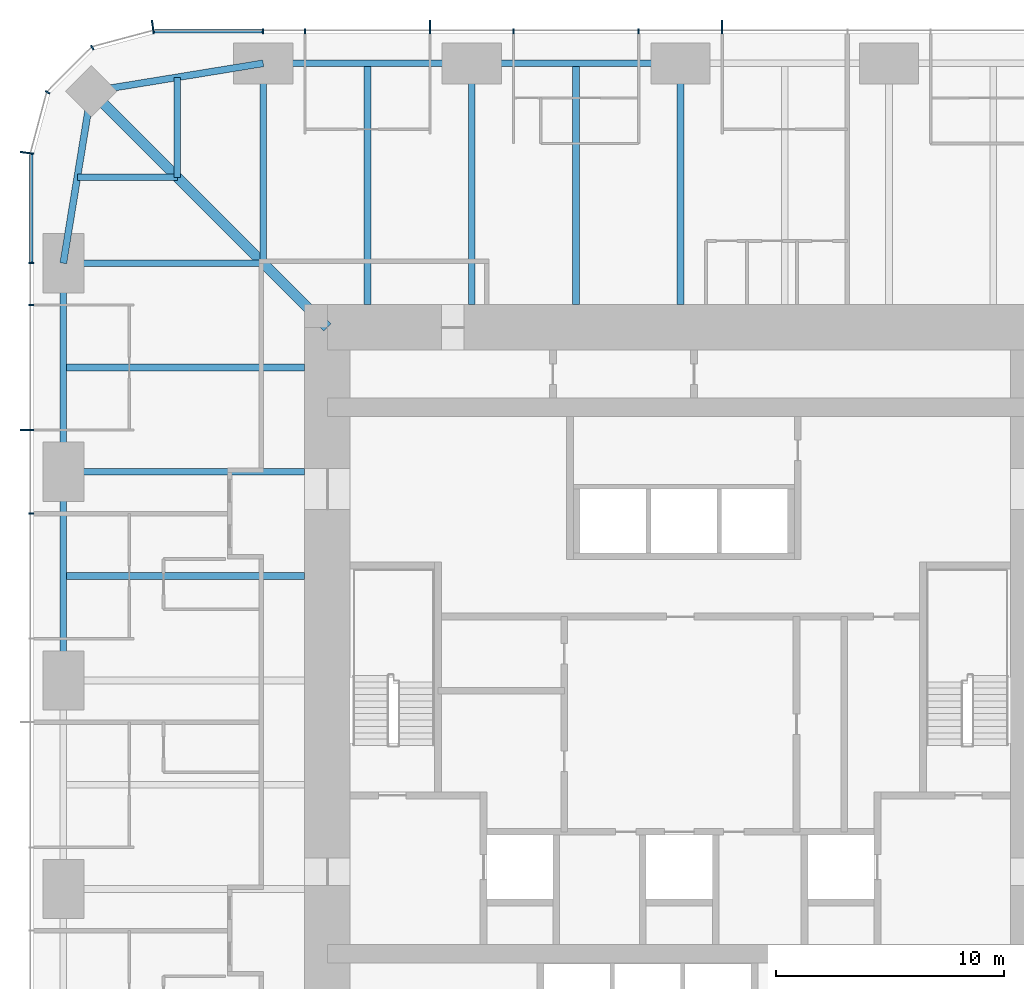
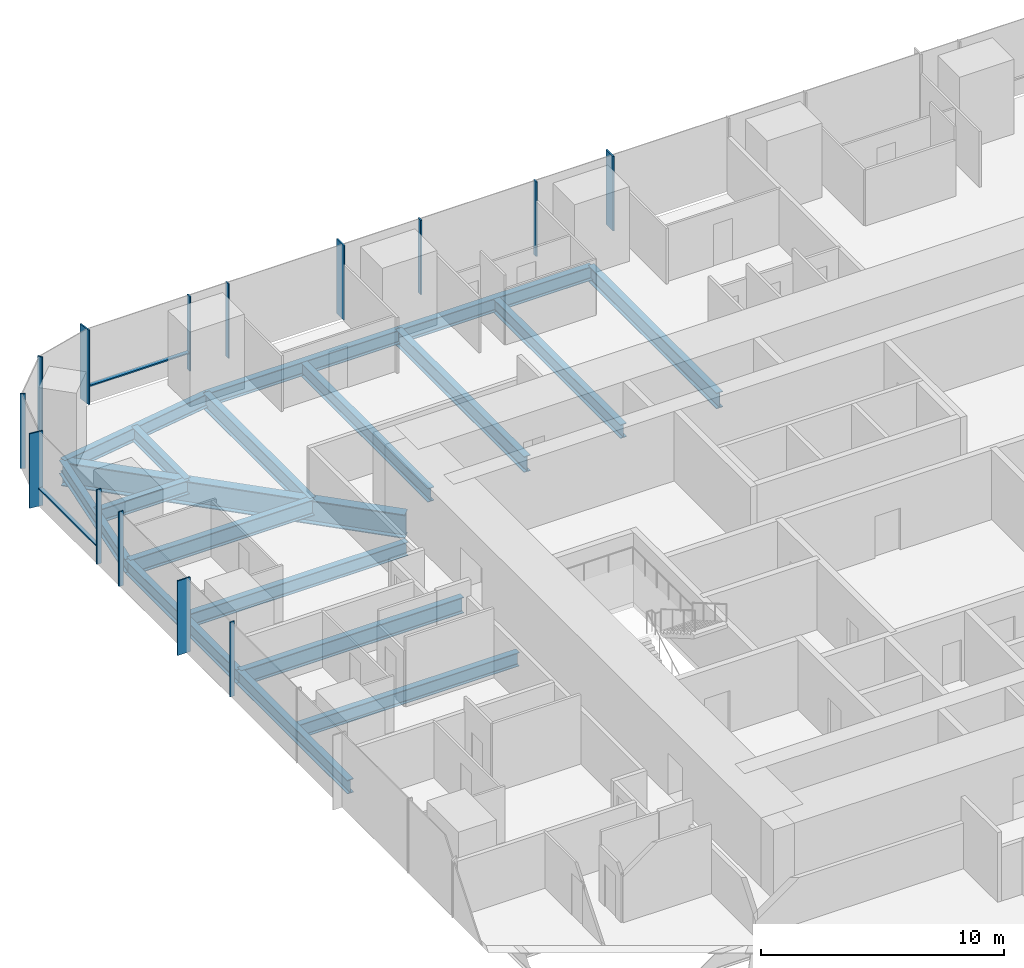
# One storey, part 5 of 13: 18 beams, 16 members, 3 elements without a shape of their own.
"""IFC4 building model written with IfcOpenShell, lengths in metres."""

from ifc_helpers import new_model, si_unit, direction, frame, origin, origin_2d, place, context, subcontext, project, spatial, rectangle, i_section, extrude, material, material_profile, profile_set, type_object, element, aggregate, save


model = new_model("IFC4")

# Units and contexts
model_context = context("Model", 3, precision=1e-05, world=origin(), true_north=direction((0.0, 1.0)))
body_context = subcontext(model_context, "Body", "Model", "MODEL_VIEW")
ifc_project = project(units=[si_unit("LENGTHUNIT", "METRE"), si_unit("AREAUNIT", "SQUARE_METRE"), si_unit("VOLUMEUNIT", "CUBIC_METRE"), si_unit("PLANEANGLEUNIT", "RADIAN"), si_unit("MASSUNIT", "GRAM", prefix="KILO")], contexts=[model_context])

# Site, building, storey
site_placement = place(None, origin())
site = spatial("IfcSite", under=ifc_project, at=site_placement, CompositionType="ELEMENT")
building_placement = place(site_placement, origin())
building = spatial("IfcBuilding", under=site, at=building_placement, Name="Khuree Lantern Residences", CompositionType="ELEMENT")
storey_placement = place(building_placement, frame((0.0, 0.0, 163.5)))
storey = spatial("IfcBuildingStorey", under=building, at=storey_placement, Name="L41", CompositionType="ELEMENT", Elevation=163.5)

# Beams
ifc_material_1 = material(Name="Steel S355", Category="steel")
ifc_material_profile_1 = material_profile(ifc_material_1, i_section(OverallWidth=0.300048828125, OverallDepth=0.68994140625, WebThickness=0.014404296875, FlangeThickness=0.027099609375, FilletRadius=0.027099609375, at=origin_2d()), Name="HE 700 A")
ifc_profile_set_1 = profile_set([ifc_material_profile_1], Name="Steel S355")
beam_type_1 = type_object("IfcBeamType", Name="B-24 SECONDARY BEAM HE 700 A", PredefinedType="BEAM", material=ifc_profile_set_1)
for number, where, z_axis, x_axis, name in (
    (1, (-13.739990234375, 27.10009765625, -0.594970703125), (0.0, -1.0, 0.0), (1.0, 0.0, 0.0), "Secondary beam N1"),
    (2, (-4.580078125, 27.10009765625, -0.594970703125), (0.0, -1.0, 0.0), (1.0, 0.0, 0.0), "Secondary beam N2"),
    (3, (-27.10009765625, 4.580078125, -0.594970703125), (1.0, 0.0, 0.0), (0.0, 1.0, 0.0), "Secondary beam W4"),
    (4, (-27.10009765625, 13.739990234375, -0.594970703125), (1.0, 0.0, 0.0), (0.0, 1.0, 0.0), "Secondary beam W5"),
):
    element("IfcBeam", number, at=place(storey_placement, frame(where, z_axis=z_axis, x_axis=x_axis)), inside=storey, type_object=beam_type_1, Name=name, PredefinedType="BEAM", context=body_context, shape_type="SweptSolid", body=[
        extrude(i_section(OverallWidth=0.300048828125, OverallDepth=0.68994140625, WebThickness=0.014404296875, FlangeThickness=0.027099609375, FilletRadius=0.027099609375, at=origin_2d()), origin(), (0.0, 0.0, 1.0), 10.60009765625),
    ])
for number, where, z_axis, x_axis, name in (
    (5, (-26.48486328125, 22.094970703125, -0.594970703125), (1.0, 0.0, 0.0), (0.0, 1.0, 0.0), "Secondary beam W6"),
    (6, (-22.094970703125, 26.48486328125, -0.594970703125), (0.0, -1.0, 0.0), (1.0, 0.0, 0.0), "Secondary beam N6"),
):
    element("IfcBeam", number, at=place(storey_placement, frame(where, z_axis=z_axis, x_axis=x_axis)), inside=storey, type_object=beam_type_1, Name=name, PredefinedType="BEAM", context=body_context, shape_type="SweptSolid", body=[
        extrude(i_section(OverallWidth=0.300048828125, OverallDepth=0.68994140625, WebThickness=0.014404296875, FlangeThickness=0.027099609375, FilletRadius=0.027099609375, at=origin_2d()), origin(), (0.0, 0.0, 1.0), 4.389892578125),
    ])
ifc_material_profile_2 = material_profile(ifc_material_1, i_section(OverallWidth=0.300048828125, OverallDepth=0.68994140625, WebThickness=0.014404296875, FlangeThickness=0.027099609375, FilletRadius=0.027099609375, at=origin_2d()), Name="HE 700 A")
ifc_profile_set_2 = profile_set([ifc_material_profile_2], Name="Steel S355")
beam_type_2 = type_object("IfcBeamType", Name="E-24 SPANDREL BEAM HE 700 A", PredefinedType="SPANDREL", material=ifc_profile_set_2)
beam_1_placement = place(storey_placement, frame((-18.320068359375, 27.10009765625, -0.594970703125), z_axis=(1.0, 0.0, 0.0), x_axis=(0.0, 1.0, 0.0)))
element("IfcBeam", 7, at=beam_1_placement, inside=storey, type_object=beam_type_2, Name="Spandrel beam N1", PredefinedType="SPANDREL", context=body_context, shape_type="SweptSolid", body=[
    extrude(i_section(OverallWidth=0.300048828125, OverallDepth=0.68994140625, WebThickness=0.014404296875, FlangeThickness=0.027099609375, FilletRadius=0.027099609375, at=origin_2d()), origin(), (0.0, 0.0, 1.0), 9.16015625),
])
for number, where, z_axis, x_axis, name in (
    (8, (-9.159912109375, 27.10009765625, -0.594970703125), (1.0, 0.0, 0.0), (0.0, 1.0, 0.0), "Spandrel beam N2"),
    (9, (-27.10009765625, 0.0, -0.594970703125), (0.0, 1.0, 0.0), (-1.0, 0.0, 0.0), "Spandrel beam W4"),
):
    element("IfcBeam", number, at=place(storey_placement, frame(where, z_axis=z_axis, x_axis=x_axis)), inside=storey, type_object=beam_type_2, Name=name, PredefinedType="SPANDREL", context=body_context, shape_type="SweptSolid", body=[
        extrude(i_section(OverallWidth=0.300048828125, OverallDepth=0.68994140625, WebThickness=0.014404296875, FlangeThickness=0.027099609375, FilletRadius=0.027099609375, at=origin_2d()), origin(), (0.0, 0.0, 1.0), 9.159912109375),
    ])
beam_2_placement = place(storey_placement, frame((-27.10009765625, 9.159912109375, -0.594970703125), z_axis=(0.0, 1.0, 0.0), x_axis=(-1.0, 0.0, 0.0)))
element("IfcBeam", 10, at=beam_2_placement, inside=storey, type_object=beam_type_2, Name="Spandrel beam W5", PredefinedType="SPANDREL", context=body_context, shape_type="SweptSolid", body=[
    extrude(i_section(OverallWidth=0.300048828125, OverallDepth=0.68994140625, WebThickness=0.014404296875, FlangeThickness=0.027099609375, FilletRadius=0.027099609375, at=origin_2d()), origin(), (0.0, 0.0, 1.0), 9.16015625),
])
for number, where, z_axis, x_axis, name in (
    (11, (-27.10009765625, 18.320068359375, -0.594970703125), (0.160826723833, 0.986982656839, 0.0), (-0.986982656839, 0.160826723833, 0.0), "Spandrel beam W6"),
    (12, (-25.869873046875, 25.869873046875, -0.594970703125), (0.986982656839, 0.160826723833, 0.0), (-0.160826723833, 0.986982656839, 0.0), "Spandrel beam N6"),
):
    element("IfcBeam", number, at=place(storey_placement, frame(where, z_axis=z_axis, x_axis=x_axis)), inside=storey, type_object=beam_type_2, Name=name, PredefinedType="SPANDREL", context=body_context, shape_type="SweptSolid", body=[
        extrude(i_section(OverallWidth=0.300048828125, OverallDepth=0.68994140625, WebThickness=0.014404296875, FlangeThickness=0.027099609375, FilletRadius=0.027099609375, at=origin_2d()), origin(), (0.0, 0.0, 1.0), 7.6494140625),
    ])

# Curtain wall, members
ifc_material_2 = material(Name="Bronze anodised aluminium", Category="aluminium")
curtain_wall_type_1 = type_object("IfcCurtainWallType", Name="CW-T1 TOWER FACE CURTAIN WALL", PredefinedType="USERDEFINED", material=ifc_material_2)
curtain_wall_1_placement = place(storey_placement, origin())
curtain_wall_1 = element("IfcCurtainWall", 13, at=curtain_wall_1_placement, inside=storey, type_object=curtain_wall_type_1, Name="L41 NORTH FACE CURTAIN WALL", ObjectType="Stick-built curtain wall", PredefinedType="USERDEFINED")
ifc_material_profile_3 = material_profile(ifc_material_2, rectangle(XDim=0.06494140625, YDim=0.60009765625, at=origin_2d()), Name="F1 65X600")
ifc_profile_set_3 = profile_set([ifc_material_profile_3], Name="Bronze anodised aluminium")
member_type_1 = type_object("IfcMemberType", Name="F1 BRONZE FIN MULLION TOWER 65X600", PredefinedType="MULLION", material=ifc_profile_set_3)
member_1_placement = place(storey_placement, frame((1.83203125, 28.699951171875, 0.0), z_axis=(0.0, 0.0, 1.0), x_axis=(-1.0, 0.0, 0.0)))
member_1 = element("IfcMember", 14, at=member_1_placement, type_object=member_type_1, Name="L41 NORTH FACE FIN MULLION 23", PredefinedType="MULLION", context=body_context, shape_type="SweptSolid", body=[
    extrude(rectangle(XDim=0.06494140625, YDim=0.60009765625, at=origin_2d()), origin(), (0.0, 0.0, 1.0), 3.75),
])
member_2_placement = place(storey_placement, frame((-10.991943359375, 28.699951171875, 0.0), z_axis=(0.0, 0.0, 1.0), x_axis=(-1.0, 0.0, 0.0)))
member_2 = element("IfcMember", 15, at=member_2_placement, type_object=member_type_1, Name="L41 NORTH FACE FIN MULLION 26", PredefinedType="MULLION", context=body_context, shape_type="SweptSolid", body=[
    extrude(rectangle(XDim=0.06494140625, YDim=0.60009765625, at=origin_2d()), origin(), (0.0, 0.0, 1.0), 3.75),
])

# Curtain wall, member
curtain_wall_type_2 = type_object("IfcCurtainWallType", Name="CW-T2 TOWER CORNER CURTAIN WALL", PredefinedType="USERDEFINED", material=ifc_material_2)
curtain_wall_2_placement = place(storey_placement, origin())
curtain_wall_2 = element("IfcCurtainWall", 16, at=curtain_wall_2_placement, inside=storey, type_object=curtain_wall_type_2, Name="L41 NORTH-WEST CORNER CURTAIN WALL", ObjectType="Faceted corner curtain wall", PredefinedType="USERDEFINED")
member_3_placement = place(storey_placement, frame((-23.169677734375, 28.7001953125, 0.0), z_axis=(0.0, 0.0, 1.0), x_axis=(-0.991444857305, -0.130526223125, 0.0)))
member_3 = element("IfcMember", 17, at=member_3_placement, type_object=member_type_1, Name="L41 NORTH-WEST CORNER FIN MULLION 29", PredefinedType="MULLION", context=body_context, shape_type="SweptSolid", body=[
    extrude(rectangle(XDim=0.06494140625, YDim=0.60009765625, at=origin_2d()), origin(), (0.0, 0.0, 1.0), 3.75),
])

# Curtain wall, members
curtain_wall_3_placement = place(storey_placement, origin())
curtain_wall_3 = element("IfcCurtainWall", 18, at=curtain_wall_3_placement, inside=storey, type_object=curtain_wall_type_1, Name="L41 WEST FACE CURTAIN WALL", ObjectType="Stick-built curtain wall", PredefinedType="USERDEFINED")
member_4_placement = place(storey_placement, frame((-28.7001953125, 23.169677734375, 0.0), z_axis=(0.0, 0.0, 1.0), x_axis=(-0.130526223125, -0.991444857305, 0.0)))
member_4 = element("IfcMember", 19, at=member_4_placement, type_object=member_type_1, Name="L41 WEST FACE FIN MULLION 32", PredefinedType="MULLION", context=body_context, shape_type="SweptSolid", body=[
    extrude(rectangle(XDim=0.06494140625, YDim=0.60009765625, at=origin_2d()), origin(), (0.0, 0.0, 1.0), 3.75),
])
member_5_placement = place(storey_placement, frame((-28.699951171875, 10.991943359375, 0.0), z_axis=(0.0, 0.0, 1.0), x_axis=(0.0, -1.0, 0.0)))
member_5 = element("IfcMember", 20, at=member_5_placement, type_object=member_type_1, Name="L41 WEST FACE FIN MULLION 35", PredefinedType="MULLION", context=body_context, shape_type="SweptSolid", body=[
    extrude(rectangle(XDim=0.06494140625, YDim=0.60009765625, at=origin_2d()), origin(), (0.0, 0.0, 1.0), 3.75),
])

# Beams
ifc_material_profile_4 = material_profile(ifc_material_1, i_section(OverallWidth=0.300048828125, OverallDepth=0.800048828125, WebThickness=0.017578125, FlangeThickness=0.032958984375, FilletRadius=0.030029296875, at=origin_2d()), Name="HE 800 B")
ifc_profile_set_4 = profile_set([ifc_material_profile_4], Name="Steel S355")
beam_type_3 = type_object("IfcBeamType", Name="G-24 GIRDER HE 800 B", PredefinedType="BEAM", material=ifc_profile_set_4)
beam_3_placement = place(storey_placement, frame((-18.320068359375, 27.10009765625, -0.64990234375), z_axis=(0.0, -1.0, 0.0), x_axis=(1.0, 0.0, 0.0)))
element("IfcBeam", 21, at=beam_3_placement, inside=storey, type_object=beam_type_3, Name="Girder N1", PredefinedType="BEAM", context=body_context, shape_type="SweptSolid", body=[
    extrude(i_section(OverallWidth=0.300048828125, OverallDepth=0.800048828125, WebThickness=0.017578125, FlangeThickness=0.032958984375, FilletRadius=0.030029296875, at=origin_2d()), origin(), (0.0, 0.0, 1.0), 8.780029296875),
])
for number, where, z_axis, x_axis, name in (
    (22, (-9.159912109375, 27.10009765625, -0.64990234375), (0.0, -1.0, 0.0), (1.0, 0.0, 0.0), "Girder N2"),
    (23, (0.0, 27.10009765625, -0.64990234375), (0.0, -1.0, 0.0), (1.0, 0.0, 0.0), "Girder N3"),
    (24, (-27.10009765625, 9.159912109375, -0.64990234375), (1.0, 0.0, 0.0), (0.0, 1.0, 0.0), "Girder W4"),
):
    element("IfcBeam", number, at=place(storey_placement, frame(where, z_axis=z_axis, x_axis=x_axis)), inside=storey, type_object=beam_type_3, Name=name, PredefinedType="BEAM", context=body_context, shape_type="SweptSolid", body=[
        extrude(i_section(OverallWidth=0.300048828125, OverallDepth=0.800048828125, WebThickness=0.017578125, FlangeThickness=0.032958984375, FilletRadius=0.030029296875, at=origin_2d()), origin(), (0.0, 0.0, 1.0), 10.60009765625),
    ])
beam_4_placement = place(storey_placement, frame((-27.10009765625, 18.320068359375, -0.64990234375), z_axis=(1.0, 0.0, 0.0), x_axis=(0.0, 1.0, 0.0)))
element("IfcBeam", 25, at=beam_4_placement, inside=storey, type_object=beam_type_3, Name="Girder W5", PredefinedType="BEAM", context=body_context, shape_type="SweptSolid", body=[
    extrude(i_section(OverallWidth=0.300048828125, OverallDepth=0.800048828125, WebThickness=0.017578125, FlangeThickness=0.032958984375, FilletRadius=0.030029296875, at=origin_2d()), origin(), (0.0, 0.0, 1.0), 8.780029296875),
])
ifc_material_profile_5 = material_profile(ifc_material_1, i_section(OverallWidth=0.449951171875, OverallDepth=1.199951171875, WebThickness=0.02490234375, FlangeThickness=0.044921875, at=origin_2d()), Name="WELDED I 1200X450X25X45")
ifc_profile_set_5 = profile_set([ifc_material_profile_5], Name="Steel S355")
beam_type_4 = type_object("IfcBeamType", Name="GD-24 CORNER GIRDER WELDED I 1200X450X25X45", PredefinedType="BEAM", material=ifc_profile_set_5)
beam_5_placement = place(storey_placement, frame((-25.869873046875, 25.869873046875, -0.85009765625), z_axis=(0.707106781187, -0.707106781187, 0.0), x_axis=(0.707106781187, 0.707106781187, 0.0)))
element("IfcBeam", 26, at=beam_5_placement, inside=storey, type_object=beam_type_4, Name="Corner girder NW", PredefinedType="BEAM", context=body_context, shape_type="SweptSolid", body=[
    extrude(i_section(OverallWidth=0.449951171875, OverallDepth=1.199951171875, WebThickness=0.02490234375, FlangeThickness=0.044921875, at=origin_2d()), origin(), (0.0, 0.0, 1.0), 14.665283203125),
])

# Member
ifc_material_profile_6 = material_profile(ifc_material_2, rectangle(XDim=0.06494140625, YDim=0.219970703125, at=origin_2d()), Name="M1 65X220")
ifc_profile_set_6 = profile_set([ifc_material_profile_6], Name="Bronze anodised aluminium")
member_type_2 = type_object("IfcMemberType", Name="M1 BRONZE MULLION TOWER 65X220", PredefinedType="MULLION", material=ifc_profile_set_6)
member_6_placement = place(storey_placement, frame((-1.83203125, 28.510009765625, 0.0), z_axis=(0.0, 0.0, 1.0), x_axis=(-1.0, 0.0, 0.0)))
member_6 = element("IfcMember", 27, at=member_6_placement, type_object=member_type_2, Name="L41 NORTH FACE MULLION 24", PredefinedType="MULLION", context=body_context, shape_type="SweptSolid", body=[
    extrude(rectangle(XDim=0.06494140625, YDim=0.219970703125, at=origin_2d()), origin(), (0.0, 0.0, 1.0), 3.75),
])

member_7_placement = place(storey_placement, frame((-7.327880859375, 28.510009765625, 0.0), z_axis=(0.0, 0.0, 1.0), x_axis=(-1.0, 0.0, 0.0)))
member_7 = element("IfcMember", 28, at=member_7_placement, type_object=member_type_2, Name="L41 NORTH FACE MULLION 25", PredefinedType="MULLION", context=body_context, shape_type="SweptSolid", body=[
    extrude(rectangle(XDim=0.06494140625, YDim=0.219970703125, at=origin_2d()), origin(), (0.0, 0.0, 1.0), 3.75),
])

member_8_placement = place(storey_placement, frame((-16.488037109375, 28.510009765625, 0.0), z_axis=(0.0, 0.0, 1.0), x_axis=(-1.0, 0.0, 0.0)))
member_8 = element("IfcMember", 29, at=member_8_placement, type_object=member_type_2, Name="L41 NORTH FACE MULLION 27", PredefinedType="MULLION", context=body_context, shape_type="SweptSolid", body=[
    extrude(rectangle(XDim=0.06494140625, YDim=0.219970703125, at=origin_2d()), origin(), (0.0, 0.0, 1.0), 3.75),
])

member_9_placement = place(storey_placement, frame((-18.320068359375, 28.510009765625, 0.0), z_axis=(0.0, 0.0, 1.0), x_axis=(-1.0, 0.0, 0.0)))
member_9 = element("IfcMember", 30, at=member_9_placement, type_object=member_type_2, Name="L41 NORTH FACE MULLION 28", PredefinedType="MULLION", context=body_context, shape_type="SweptSolid", body=[
    extrude(rectangle(XDim=0.06494140625, YDim=0.219970703125, at=origin_2d()), origin(), (0.0, 0.0, 1.0), 3.75),
])

member_10_placement = place(storey_placement, frame((-25.830078125, 27.7919921875, 0.0), z_axis=(0.0, 0.0, 1.0), x_axis=(-0.866025388199, -0.500000026995, 0.0)))
member_10 = element("IfcMember", 31, at=member_10_placement, type_object=member_type_2, Name="L41 NORTH-WEST CORNER MULLION 30", PredefinedType="MULLION", context=body_context, shape_type="SweptSolid", body=[
    extrude(rectangle(XDim=0.06494140625, YDim=0.219970703125, at=origin_2d()), origin(), (0.0, 0.0, 1.0), 3.75),
])

member_11_placement = place(storey_placement, frame((-27.7919921875, 25.830078125, 0.0), z_axis=(0.0, 0.0, 1.0), x_axis=(-0.500000026995, -0.866025388199, 0.0)))
member_11 = element("IfcMember", 32, at=member_11_placement, type_object=member_type_2, Name="L41 NORTH-WEST CORNER MULLION 31", PredefinedType="MULLION", context=body_context, shape_type="SweptSolid", body=[
    extrude(rectangle(XDim=0.06494140625, YDim=0.219970703125, at=origin_2d()), origin(), (0.0, 0.0, 1.0), 3.75),
])

aggregate(curtain_wall_2, [member_3, member_10, member_11])

member_12_placement = place(storey_placement, frame((-28.510009765625, 18.320068359375, 0.0), z_axis=(0.0, 0.0, 1.0), x_axis=(0.0, -1.0, 0.0)))
member_12 = element("IfcMember", 33, at=member_12_placement, type_object=member_type_2, Name="L41 WEST FACE MULLION 33", PredefinedType="MULLION", context=body_context, shape_type="SweptSolid", body=[
    extrude(rectangle(XDim=0.06494140625, YDim=0.219970703125, at=origin_2d()), origin(), (0.0, 0.0, 1.0), 3.75),
])

member_13_placement = place(storey_placement, frame((-28.510009765625, 16.488037109375, 0.0), z_axis=(0.0, 0.0, 1.0), x_axis=(0.0, -1.0, 0.0)))
member_13 = element("IfcMember", 34, at=member_13_placement, type_object=member_type_2, Name="L41 WEST FACE MULLION 34", PredefinedType="MULLION", context=body_context, shape_type="SweptSolid", body=[
    extrude(rectangle(XDim=0.06494140625, YDim=0.219970703125, at=origin_2d()), origin(), (0.0, 0.0, 1.0), 3.75),
])

member_14_placement = place(storey_placement, frame((-28.510009765625, 7.327880859375, 0.0), z_axis=(0.0, 0.0, 1.0), x_axis=(0.0, -1.0, 0.0)))
member_14 = element("IfcMember", 35, at=member_14_placement, type_object=member_type_2, Name="L41 WEST FACE MULLION 36", PredefinedType="MULLION", context=body_context, shape_type="SweptSolid", body=[
    extrude(rectangle(XDim=0.06494140625, YDim=0.219970703125, at=origin_2d()), origin(), (0.0, 0.0, 1.0), 3.75),
])

ifc_material_profile_7 = material_profile(ifc_material_2, rectangle(XDim=0.179931640625, YDim=0.06494140625, at=origin_2d()), Name="T1 180X65")
ifc_profile_set_7 = profile_set([ifc_material_profile_7], Name="Bronze anodised aluminium")
member_type_3 = type_object("IfcMemberType", Name="TRANSOM T1 TOWER 180X65", PredefinedType="USERDEFINED", material=ifc_profile_set_7)
member_15_placement = place(storey_placement, frame((-18.3525390625, 28.52001953125, 0.89990234375), z_axis=(-1.0, 0.0, 0.0), x_axis=(0.0, -1.0, 0.0)))
member_15 = element("IfcMember", 36, at=member_15_placement, type_object=member_type_3, Name="L41 NORTH FACE TRANSOM 28.1", ObjectType="Transom", PredefinedType="USERDEFINED", context=body_context, shape_type="SweptSolid", body=[
    extrude(rectangle(XDim=0.179931640625, YDim=0.06494140625, at=origin_2d()), origin(), (0.0, 0.0, 1.0), 4.748779296875),
])

aggregate(curtain_wall_1, [member_1, member_6, member_7, member_2, member_8, member_9, member_15])

member_16_placement = place(storey_placement, frame((-28.52001953125, 23.101318359375, 0.89990234375), z_axis=(0.0, -1.0, 0.0), x_axis=(1.0, 0.0, 0.0)))
member_16 = element("IfcMember", 37, at=member_16_placement, type_object=member_type_3, Name="L41 WEST FACE TRANSOM 32.1", ObjectType="Transom", PredefinedType="USERDEFINED", context=body_context, shape_type="SweptSolid", body=[
    extrude(rectangle(XDim=0.179931640625, YDim=0.06494140625, at=origin_2d()), origin(), (0.0, 0.0, 1.0), 4.748779296875),
])

aggregate(curtain_wall_3, [member_4, member_12, member_13, member_5, member_14, member_16])

save(model, "model.ifc")
